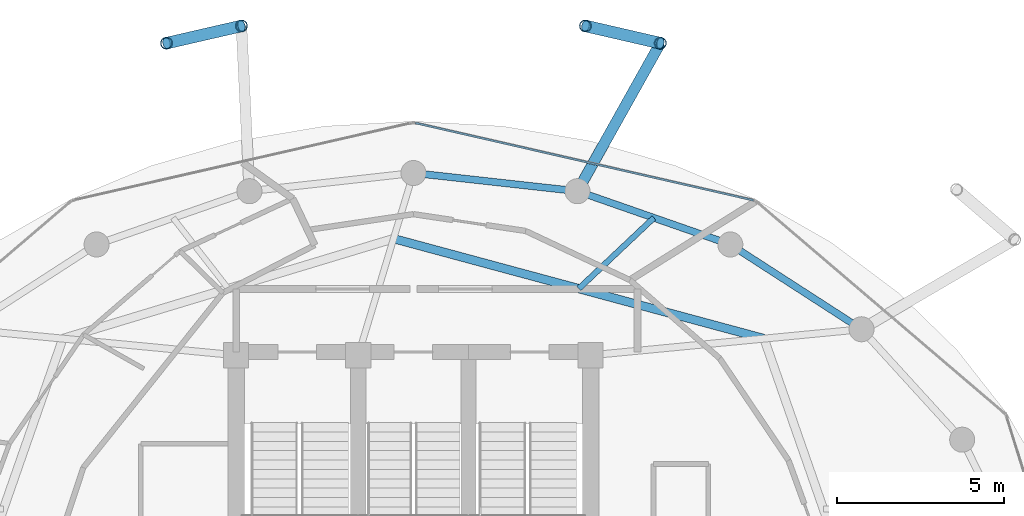
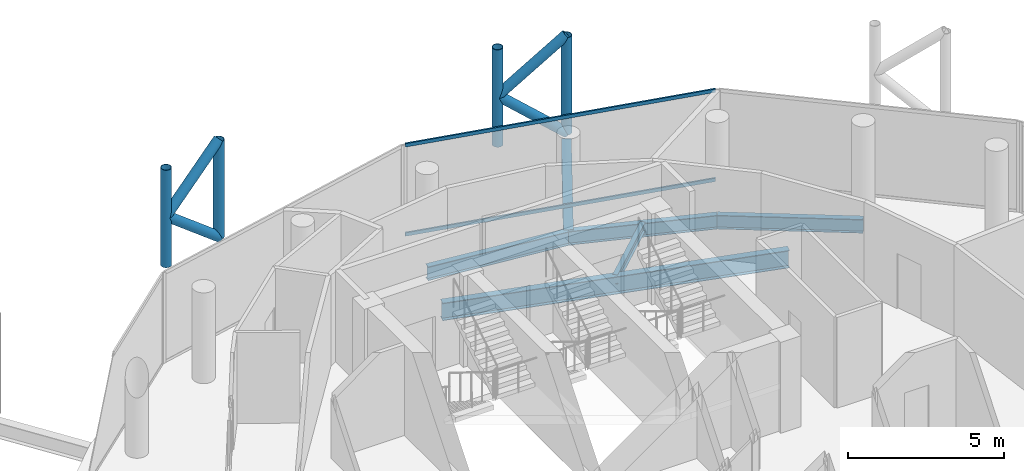
# One storey, part 17 of 24: 10 members, 6 beams, 1 element without a shape of its own.
"""IFC4 building model written with IfcOpenShell, lengths in metres."""

from ifc_helpers import new_model, si_unit, direction, frame, origin, origin_2d, place, context, subcontext, project, spatial, hollow_rectangle, hollow_circle, i_section, extrude, material, layer, layer_set, material_profile, profile_set, type_object, element, aggregate, save


model = new_model("IFC4")

# Units and contexts
model_context = context("Model", 3, precision=1e-05, world=origin(), true_north=direction((0.0, 1.0)))
body_context = subcontext(model_context, "Body", "Model", "MODEL_VIEW")
ifc_project = project(units=[si_unit("LENGTHUNIT", "METRE"), si_unit("AREAUNIT", "SQUARE_METRE"), si_unit("VOLUMEUNIT", "CUBIC_METRE"), si_unit("PLANEANGLEUNIT", "RADIAN"), si_unit("MASSUNIT", "GRAM", prefix="KILO")], contexts=[model_context])

# Site, building, storey
site_placement = place(None, origin())
site = spatial("IfcSite", under=ifc_project, at=site_placement, CompositionType="ELEMENT")
building_placement = place(site_placement, origin())
building = spatial("IfcBuilding", under=site, at=building_placement, Name="Nuhasar Tower", CompositionType="ELEMENT")
storey_placement = place(building_placement, frame((0.0, 0.0, 286.0)))
storey = spatial("IfcBuildingStorey", under=building, at=storey_placement, Name="L71", CompositionType="ELEMENT", Elevation=286.0)

# Beams
ifc_material_1 = material(Name="Steel S355", Category="steel")
ifc_material_profile_1 = material_profile(ifc_material_1, i_section(OverallWidth=0.25390625, OverallDepth=0.68408203125, WebThickness=0.012451171875, FlangeThickness=0.018798828125, at=origin_2d()), Name="W27X94")
ifc_profile_set_1 = profile_set([ifc_material_profile_1], Name="Steel S355")
beam_type_1 = type_object("IfcBeamType", Name="BM-INRING-W27X94", PredefinedType="BEAM", material=ifc_profile_set_1)
beam_1_placement = place(storey_placement, frame((49.48388671875, 37.798095703125, -0.60205078125), z_axis=(-0.965451835482, 0.260581567584, 0.0), x_axis=(-0.260581567584, -0.965451835482, 0.0)))
element("IfcBeam", 1, at=beam_1_placement, inside=storey, type_object=beam_type_1, Name="L71 Inner Header Beam 05", PredefinedType="BEAM", context=body_context, shape_type="SweptSolid", body=[
    extrude(i_section(OverallWidth=0.25390625, OverallDepth=0.68408203125, WebThickness=0.012451171875, FlangeThickness=0.018798828125, at=origin_2d()), origin(), (0.0, 0.0, 1.0), 11.474365234375),
])
ifc_material_profile_2 = material_profile(ifc_material_1, i_section(OverallWidth=0.1708984375, OverallDepth=0.35205078125, WebThickness=0.0068359375, FlangeThickness=0.009765625, at=origin_2d()), Name="W14X30")
ifc_profile_set_2 = profile_set([ifc_material_profile_2], Name="Steel S355")
beam_type_2 = type_object("IfcBeamType", Name="BM-JST-W14X30", PredefinedType="JOIST", material=ifc_profile_set_2)
beam_2_placement = place(storey_placement, frame((43.945068359375, 39.29296875, -0.43603515625), z_axis=(0.727532985224, 0.686072704173, 0.0), x_axis=(-0.686072704173, 0.727532985224, 0.0)))
element("IfcBeam", 2, at=beam_2_placement, inside=storey, type_object=beam_type_2, Name="L71 Secondary Floor Joist 05", PredefinedType="JOIST", context=body_context, shape_type="SweptSolid", body=[
    extrude(i_section(OverallWidth=0.1708984375, OverallDepth=0.35205078125, WebThickness=0.0068359375, FlangeThickness=0.009765625, at=origin_2d()), origin(), (0.0, 0.0, 1.0), 3.085693359375),
])
ifc_material_profile_3 = material_profile(ifc_material_1, i_section(OverallWidth=0.2099609375, OverallDepth=0.537109375, WebThickness=0.010986328125, FlangeThickness=0.017333984375, at=origin_2d()), Name="W21X68")
ifc_profile_set_3 = profile_set([ifc_material_profile_3], Name="Steel S355")
beam_type_3 = type_object("IfcBeamType", Name="BM-RING-W21X68", PredefinedType="SPANDREL", material=ifc_profile_set_3)
beam_3_placement = place(storey_placement, frame((52.39990234375, 38.077880859375, -0.529052734375), z_axis=(-0.840001671147, 0.54258381147, 0.0), x_axis=(-0.54258381147, -0.840001671147, 0.0)))
element("IfcBeam", 3, at=beam_3_placement, inside=storey, type_object=beam_type_3, Name="L71 Perimeter Ring Spandrel 04", PredefinedType="SPANDREL", context=body_context, shape_type="SweptSolid", body=[
    extrude(i_section(OverallWidth=0.2099609375, OverallDepth=0.537109375, WebThickness=0.010986328125, FlangeThickness=0.017333984375, at=origin_2d()), origin(), (0.0, 0.0, 1.0), 4.67236328125),
])
beam_4_placement = place(storey_placement, frame((48.47509765625, 40.613037109375, -0.529052734375), z_axis=(-0.944214043504, 0.329332415729, 0.0), x_axis=(-0.329332415729, -0.944214043504, 0.0)))
element("IfcBeam", 4, at=beam_4_placement, inside=storey, type_object=beam_type_3, Name="L71 Perimeter Ring Spandrel 05", PredefinedType="SPANDREL", context=body_context, shape_type="SweptSolid", body=[
    extrude(i_section(OverallWidth=0.2099609375, OverallDepth=0.537109375, WebThickness=0.010986328125, FlangeThickness=0.017333984375, at=origin_2d()), origin(), (0.0, 0.0, 1.0), 4.840087890625),
])
beam_5_placement = place(storey_placement, frame((43.905029296875, 42.20703125, -0.529052734375), z_axis=(-0.99392889943, 0.110024283128, 0.0), x_axis=(-0.110024283128, -0.99392889943, 0.0)))
element("IfcBeam", 5, at=beam_5_placement, inside=storey, type_object=beam_type_3, Name="L71 Perimeter Ring Spandrel 06", PredefinedType="SPANDREL", context=body_context, shape_type="SweptSolid", body=[
    extrude(i_section(OverallWidth=0.2099609375, OverallDepth=0.537109375, WebThickness=0.010986328125, FlangeThickness=0.017333984375, at=origin_2d()), origin(), (0.0, 0.0, 1.0), 4.93505859375),
])
ifc_material_profile_4 = material_profile(ifc_material_1, i_section(OverallWidth=0.323974609375, OverallDepth=0.611083984375, WebThickness=0.0126953125, FlangeThickness=0.01904296875, at=origin_2d()), Name="W24X104")
ifc_profile_set_4 = profile_set([ifc_material_profile_4], Name="Steel S355")
beam_type_4 = type_object("IfcBeamType", Name="BM-TIE-W24X104", PredefinedType="BEAM", material=ifc_profile_set_4)
beam_6_placement = place(storey_placement, frame((43.905029296875, 42.20703125, -0.56494140625), z_axis=(0.488667847762, 0.872469904675, 0.0), x_axis=(-0.872469904675, 0.488667847762, 0.0)))
element("IfcBeam", 6, at=beam_6_placement, inside=storey, type_object=beam_type_4, Name="L71 Exoskeleton Node Tie Beam 03", PredefinedType="BEAM", context=body_context, shape_type="SweptSolid", body=[
    extrude(i_section(OverallWidth=0.323974609375, OverallDepth=0.611083984375, WebThickness=0.0126953125, FlangeThickness=0.01904296875, at=origin_2d()), origin(), (0.0, 0.0, 1.0), 5.072998046875),
])

# Curtain wall, members
ifc_material_2 = material(Name="Aluminium 6063-T6", Category="aluminium")
ifc_layer = layer(ifc_material_2, 0.18994140625)
ifc_layer_set = layer_set([ifc_layer], Name="Aluminium 6063-T6")
curtain_wall_type = type_object("IfcCurtainWallType", Name="CW-Z4-PEN", PredefinedType="NOTDEFINED", material=ifc_layer_set)
curtain_wall_placement = place(storey_placement, origin())
curtain_wall = element("IfcCurtainWall", 7, at=curtain_wall_placement, inside=storey, type_object=curtain_wall_type, Name="L71 Unitised Curtain Wall 03", PredefinedType="NOTDEFINED")
ifc_material_profile_5 = material_profile(ifc_material_2, hollow_rectangle(XDim=0.06005859375, YDim=0.135009765625, WallThickness=0.00439453125, at=origin_2d()), Name="CWT-5")
ifc_profile_set_5 = profile_set([ifc_material_profile_5], Name="Aluminium 6063-T6")
member_type_1 = type_object("IfcMemberType", Name="CW-TRN-S5", PredefinedType="USERDEFINED", material=ifc_profile_set_5)
member_1_placement = place(storey_placement, frame((49.171630859375, 41.934326171875, 0.030029296875), z_axis=(-0.974843752401, 0.222889341163, 0.0), x_axis=(-0.222889341163, -0.974843752401, 0.0)))
member_1 = element("IfcMember", 8, at=member_1_placement, type_object=member_type_1, Name="CW-Z4 transom 1.1", ObjectType="TRANSOM", PredefinedType="USERDEFINED", context=body_context, shape_type="SweptSolid", body=[
    extrude(hollow_rectangle(XDim=0.06005859375, YDim=0.135009765625, WallThickness=0.00439453125, at=origin_2d()), origin(), (0.0, 0.0, 1.0), 10.3740234375),
])
member_2_placement = place(storey_placement, frame((49.171630859375, 41.934326171875, 3.510009765625), z_axis=(-0.974843752401, 0.222889341163, 0.0), x_axis=(-0.222889341163, -0.974843752401, 0.0)))
member_2 = element("IfcMember", 9, at=member_2_placement, type_object=member_type_1, Name="CW-Z4 transom 1.2", ObjectType="TRANSOM", PredefinedType="USERDEFINED", context=body_context, shape_type="SweptSolid", body=[
    extrude(hollow_rectangle(XDim=0.06005859375, YDim=0.135009765625, WallThickness=0.00439453125, at=origin_2d()), origin(), (0.0, 0.0, 1.0), 10.3740234375),
])
aggregate(curtain_wall, [member_1, member_2])

# Members
ifc_material_3 = material(Name="Steel S460", Category="steel")
ifc_material_profile_6 = material_profile(ifc_material_3, hollow_circle(Radius=0.177734375, WallThickness=0.015869140625, at=origin_2d()), Name="HSS355.6X15.9")
ifc_profile_set_6 = profile_set([ifc_material_profile_6], Name="Steel S460")
member_type_2 = type_object("IfcMemberType", Name="EXO-BRONZE-356", PredefinedType="BRACE", material=ifc_profile_set_6)
for number, where, z_axis, x_axis, name in (
    (10, (46.384033203125, 46.633056640625, 0.0), (0.0, 0.0, 1.0), (1.0, 0.0, 0.0), "L71 Exoskeleton Chord Column EC-03A"),
    (11, (44.14306640625, 47.14892578125, 0.0), (0.0, 0.0, 1.0), (1.0, 0.0, 0.0), "L71 Exoskeleton Chord Column EC-03B"),
    (12, (33.85693359375, 47.14892578125, 0.0), (0.0, 0.0, 1.0), (1.0, 0.0, 0.0), "L71 Exoskeleton Chord Column EC-04A"),
    (13, (31.615966796875, 46.633056640625, 0.0), (0.0, 0.0, 1.0), (1.0, 0.0, 0.0), "L71 Exoskeleton Chord Column EC-04B"),
):
    element("IfcMember", number, at=place(storey_placement, frame(where, z_axis=z_axis, x_axis=x_axis)), inside=storey, type_object=member_type_2, Name=name, PredefinedType="BRACE", context=body_context, shape_type="SweptSolid", body=[
        extrude(hollow_circle(Radius=0.177734375, WallThickness=0.015869140625, at=origin_2d()), origin(), (0.0, 0.0, 1.0), 3.800048828125),
    ])
member_3_placement = place(storey_placement, frame((46.384033203125, 46.633056640625, 0.0), z_axis=(-0.751271614502, 0.172942250947, 0.636931659663), x_axis=(-0.224332214284, -0.974512728308, 0.0)))
element("IfcMember", 14, at=member_3_placement, inside=storey, type_object=member_type_2, Name="L71 Bronze Diagrid Brace W1-03", PredefinedType="BRACE", context=body_context, shape_type="SweptSolid", body=[
    extrude(hollow_circle(Radius=0.177734375, WallThickness=0.015869140625, at=origin_2d()), origin(), (0.0, 0.0, 1.0), 2.98291015625),
])
member_4_placement = place(storey_placement, frame((44.14306640625, 47.14892578125, 1.89990234375), z_axis=(0.751232450652, -0.172933235454, 0.636980298881), x_axis=(0.224332214284, 0.974512728308, 0.0)))
element("IfcMember", 15, at=member_4_placement, inside=storey, type_object=member_type_2, Name="L71 Bronze Diagrid Brace W2-03", PredefinedType="BRACE", context=body_context, shape_type="SweptSolid", body=[
    extrude(hollow_circle(Radius=0.177734375, WallThickness=0.015869140625, at=origin_2d()), origin(), (0.0, 0.0, 1.0), 2.983154296875),
])
member_5_placement = place(storey_placement, frame((33.85693359375, 47.14892578125, 0.0), z_axis=(-0.751271614502, -0.172942250947, 0.636931659663), x_axis=(0.224332214284, -0.974512728308, 0.0)))
element("IfcMember", 16, at=member_5_placement, inside=storey, type_object=member_type_2, Name="L71 Bronze Diagrid Brace W1-04", PredefinedType="BRACE", context=body_context, shape_type="SweptSolid", body=[
    extrude(hollow_circle(Radius=0.177734375, WallThickness=0.015869140625, at=origin_2d()), origin(), (0.0, 0.0, 1.0), 2.98291015625),
])
member_6_placement = place(storey_placement, frame((31.615966796875, 46.633056640625, 1.89990234375), z_axis=(0.751232450652, 0.172933235454, 0.636980298881), x_axis=(-0.224332214284, 0.974512728308, 0.0)))
element("IfcMember", 17, at=member_6_placement, inside=storey, type_object=member_type_2, Name="L71 Bronze Diagrid Brace W2-04", PredefinedType="BRACE", context=body_context, shape_type="SweptSolid", body=[
    extrude(hollow_circle(Radius=0.177734375, WallThickness=0.015869140625, at=origin_2d()), origin(), (0.0, 0.0, 1.0), 2.983154296875),
])

save(model, "model.ifc")
